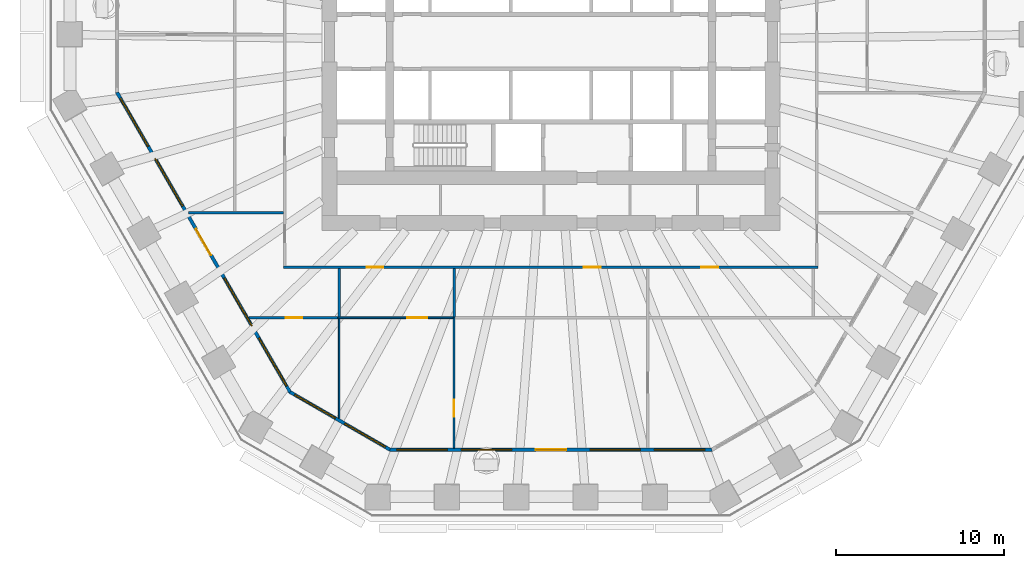
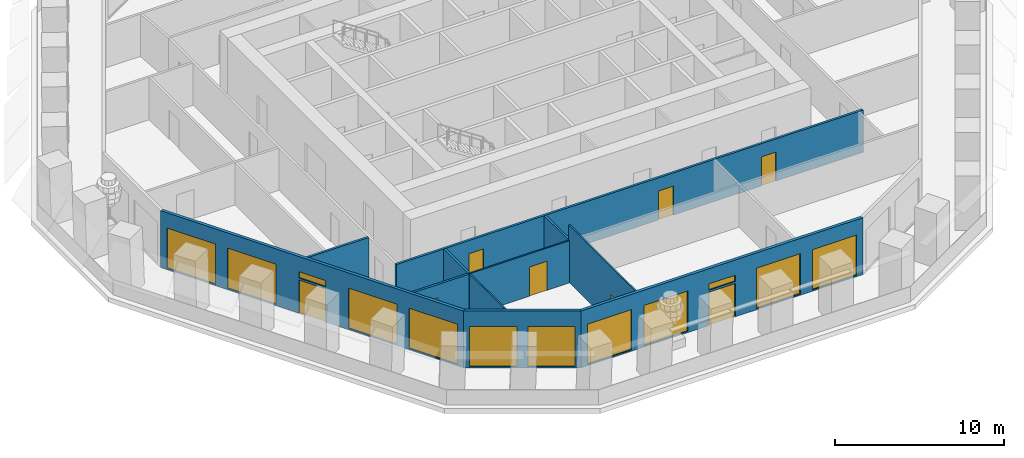
# One storey, part 3 of 13: 12 windows, 11 walls, 8 doors, 20 openings.
"""IFC4 building model written with IfcOpenShell, lengths in metres."""

from ifc_helpers import new_model, si_unit, direction, frame, frame_2d, origin, place, context, subcontext, project, spatial, polyline, rectangle, outline, extrude, material, layer, layer_set, type_object, element, fill, save


model = new_model("IFC4")

# Units and contexts
model_context = context("Model", 3, precision=1e-05, world=origin(), true_north=direction((0.0, 1.0)))
body_context = subcontext(model_context, "Body", "Model", "MODEL_VIEW")
ifc_project = project(units=[si_unit("LENGTHUNIT", "METRE"), si_unit("AREAUNIT", "SQUARE_METRE"), si_unit("VOLUMEUNIT", "CUBIC_METRE"), si_unit("PLANEANGLEUNIT", "RADIAN"), si_unit("MASSUNIT", "GRAM", prefix="KILO")], contexts=[model_context])

# Site, building, storey
site_placement = place(None, origin())
site = spatial("IfcSite", under=ifc_project, at=site_placement, CompositionType="ELEMENT")
building_placement = place(site_placement, origin())
building = spatial("IfcBuilding", under=site, at=building_placement, Name="Frailejon Research Tower", CompositionType="ELEMENT")
storey_placement = place(building_placement, frame((0.0, 0.0, 27.800048828125)))
storey = spatial("IfcBuildingStorey", under=building, at=storey_placement, Name="L06", CompositionType="ELEMENT", Elevation=27.800048828125)

# Wall, openings, doors
ifc_material_1 = material(Name="Gypsum board and masonry partition", Category="masonry")
ifc_layer_1 = layer(ifc_material_1, 0.14990234375)
ifc_layer_set_1 = layer_set([ifc_layer_1], Name="Corridor wall EI 60, gypsum on steel studs 150")
wall_type_1 = type_object("IfcWallType", Name="Corridor wall EI 60, gypsum on steel studs 150", PredefinedType="PARTITIONING", material=ifc_layer_set_1)
wall_1_placement = place(storey_placement, frame((-15.925048828125, -13.449951171875, 0.0), z_axis=(0.0, 0.0, 1.0), x_axis=(1.0, 0.0, 0.0)))
wall_1 = element("IfcWall", 1, at=wall_1_placement, inside=storey, type_object=wall_type_1, Name="T:IW:L06:004", PredefinedType="PARTITIONING", context=body_context, shape_type="SweptSolid", body=[
    extrude(rectangle(XDim=31.85009765625, YDim=0.14990234375, at=frame_2d((15.925048828125, 0.0))), origin(), (0.0, 0.0, 1.0), 3.050048828125),
])
opening_1_placement = place(wall_1_placement, frame((4.94482421875, 0.0, 0.0)))
opening_1 = element("IfcOpeningElement", 2, at=opening_1_placement, cuts=wall_1, Name="Opening D1311", PredefinedType="OPENING", context=body_context, shape_type="SweptSolid", body=[
    extrude(rectangle(XDim=1.0, YDim=2.10009765625, at=frame_2d((0.5, 1.050048828125))), frame((0.0, 0.0849609375, 0.0), z_axis=(0.0, -1.0, 0.0), x_axis=(1.0, 0.0, 0.0)), (0.0, 0.0, 1.0), 0.169921875),
])
opening_2_placement = place(wall_1_placement, frame((17.885009765625, 0.0, 0.0)))
opening_2 = element("IfcOpeningElement", 3, at=opening_2_placement, cuts=wall_1, Name="Opening D1314", PredefinedType="OPENING", context=body_context, shape_type="SweptSolid", body=[
    extrude(rectangle(XDim=1.0, YDim=2.10009765625, at=frame_2d((0.5, 1.050048828125))), frame((0.0, 0.0849609375, 0.0), z_axis=(0.0, -1.0, 0.0), x_axis=(1.0, 0.0, 0.0)), (0.0, 0.0, 1.0), 0.169921875),
])
opening_3_placement = place(wall_1_placement, frame((24.896484375, 0.0, 0.0)))
opening_3 = element("IfcOpeningElement", 4, at=opening_3_placement, cuts=wall_1, Name="Opening D1316", PredefinedType="OPENING", context=body_context, shape_type="SweptSolid", body=[
    extrude(rectangle(XDim=1.0, YDim=2.10009765625, at=frame_2d((0.5, 1.050048828125))), frame((0.0, 0.0849609375, 0.0), z_axis=(0.0, -1.0, 0.0), x_axis=(1.0, 0.0, 0.0)), (0.0, 0.0, 1.0), 0.169921875),
])
ifc_material_2 = material(Name="Timber door leaf", Category="wood")
door_type_1 = type_object("IfcDoorType", Name="Door laboratory, timber, vision panel 1000", OperationType="NOTDEFINED", PredefinedType="DOOR", material=ifc_material_2)
door_1_placement = place(opening_2_placement, origin())
door_1 = element("IfcDoor", 5, at=door_1_placement, inside=storey, type_object=door_type_1, Name="D1314", OperationType="SINGLE_SWING_RIGHT", OverallHeight=2.10009765625, OverallWidth=1.0, PredefinedType="DOOR", context=body_context, shape_type="SweptSolid", body=[
    extrude(rectangle(XDim=1.0, YDim=2.10009765625, at=frame_2d((0.5, 1.050048828125))), frame((0.0, 0.02490234375, 0.0), z_axis=(0.0, -1.0, 0.0), x_axis=(1.0, 0.0, 0.0)), (0.0, 0.0, 1.0), 0.050048828125),
])
fill(opening_2, door_1)
door_2_placement = place(opening_3_placement, origin())
door_2 = element("IfcDoor", 6, at=door_2_placement, inside=storey, type_object=door_type_1, Name="D1316", OperationType="SINGLE_SWING_LEFT", OverallHeight=2.10009765625, OverallWidth=1.0, PredefinedType="DOOR", context=body_context, shape_type="SweptSolid", body=[
    extrude(rectangle(XDim=1.0, YDim=2.10009765625, at=frame_2d((0.5, 1.050048828125))), frame((0.0, 0.02490234375, 0.0), z_axis=(0.0, -1.0, 0.0), x_axis=(1.0, 0.0, 0.0)), (0.0, 0.0, 1.0), 0.050048828125),
])
fill(opening_3, door_2)
ifc_material_3 = material(Name="Timber door leaf", Category="wood")
door_type_2 = type_object("IfcDoorType", Name="Door single leaf, timber, steel frame 1000", OperationType="NOTDEFINED", PredefinedType="DOOR", material=ifc_material_3)
door_3_placement = place(opening_1_placement, origin())
door_3 = element("IfcDoor", 7, at=door_3_placement, inside=storey, type_object=door_type_2, Name="D1311", OperationType="SINGLE_SWING_RIGHT", OverallHeight=2.10009765625, OverallWidth=1.0, PredefinedType="DOOR", context=body_context, shape_type="SweptSolid", body=[
    extrude(rectangle(XDim=1.0, YDim=2.10009765625, at=frame_2d((0.5, 1.050048828125))), frame((0.0, 0.02490234375, 0.0), z_axis=(0.0, -1.0, 0.0), x_axis=(1.0, 0.0, 0.0)), (0.0, 0.0, 1.0), 0.050048828125),
])
fill(opening_1, door_3)

# Wall
ifc_material_4 = material(Name="Gypsum board and masonry partition", Category="masonry")
ifc_layer_2 = layer(ifc_material_4, 0.14990234375)
ifc_layer_set_2 = layer_set([ifc_layer_2], Name="Laboratory partition, blockwork 150")
wall_type_2 = type_object("IfcWallType", Name="Laboratory partition, blockwork 150", PredefinedType="PARTITIONING", material=ifc_layer_set_2)
wall_2_placement = place(storey_placement, frame((-21.587158203125, -10.2099609375, 0.0), z_axis=(0.0, 0.0, 1.0), x_axis=(1.0, 0.0, 0.0)))
element("IfcWall", 8, at=wall_2_placement, inside=storey, type_object=wall_type_2, Name="T:IW:L06:017", PredefinedType="PARTITIONING", context=body_context, shape_type="SweptSolid", body=[
    extrude(rectangle(XDim=5.662109375, YDim=0.14990234375, at=frame_2d((2.8310546875, 0.0))), origin(), (0.0, 0.0, 1.0), 3.050048828125),
])

# Wall, opening, door
wall_3_placement = place(storey_placement, frame((-17.984619140625, -16.449951171875, 0.0), z_axis=(0.0, 0.0, 1.0), x_axis=(1.0, 0.0, 0.0)))
wall_3 = element("IfcWall", 9, at=wall_3_placement, inside=storey, type_object=wall_type_2, Name="T:IW:L06:019", PredefinedType="PARTITIONING", context=body_context, shape_type="SweptSolid", body=[
    extrude(rectangle(XDim=5.292724609375, YDim=0.14990234375, at=frame_2d((2.646484375, 0.0))), origin(), (0.0, 0.0, 1.0), 3.050048828125),
])
opening_4_placement = place(wall_3_placement, frame((2.183837890625, 0.0, 0.0)))
opening_4 = element("IfcOpeningElement", 10, at=opening_4_placement, cuts=wall_3, Name="Opening D1310", PredefinedType="OPENING", context=body_context, shape_type="SweptSolid", body=[
    extrude(rectangle(XDim=1.0, YDim=2.10009765625, at=frame_2d((0.5, 1.050048828125))), frame((0.0, 0.0849609375, 0.0), z_axis=(0.0, -1.0, 0.0), x_axis=(1.0, 0.0, 0.0)), (0.0, 0.0, 1.0), 0.169921875),
])
door_4_placement = place(opening_4_placement, origin())
door_4 = element("IfcDoor", 11, at=door_4_placement, inside=storey, type_object=door_type_2, Name="D1310", OperationType="SINGLE_SWING_LEFT", OverallHeight=2.10009765625, OverallWidth=1.0, PredefinedType="DOOR", context=body_context, shape_type="SweptSolid", body=[
    extrude(rectangle(XDim=1.0, YDim=2.10009765625, at=frame_2d((0.5, 1.050048828125))), frame((0.0, 0.02490234375, 0.0), z_axis=(0.0, -1.0, 0.0), x_axis=(1.0, 0.0, 0.0)), (0.0, 0.0, 1.0), 0.050048828125),
])
fill(opening_4, door_4)

# Walls
for number, where, z_axis, x_axis, name in (
    (12, (-12.616943359375, -16.39990234375, 0.0), (0.0, 0.0, 1.0), (0.0, 1.0, 0.0), "T:IW:L06:021"),
    (13, (-5.77001953125, -16.39990234375, 0.0), (0.0, 0.0, 1.0), (0.0, 1.0, 0.0), "T:IW:L06:022"),
):
    element("IfcWall", number, at=place(storey_placement, frame(where, z_axis=z_axis, x_axis=x_axis)), inside=storey, type_object=wall_type_2, Name=name, PredefinedType="PARTITIONING", context=body_context, shape_type="SweptSolid", body=[
        extrude(rectangle(XDim=2.875, YDim=0.14990234375, at=frame_2d((1.4375, 0.0))), origin(), (0.0, 0.0, 1.0), 3.050048828125),
    ])
ifc_material_5 = material(Name="Gypsum board and masonry partition", Category="masonry")
ifc_layer_3 = layer(ifc_material_5, 0.10009765625)
ifc_layer_set_3 = layer_set([ifc_layer_3], Name="Partition, gypsum on steel studs 100")
wall_type_3 = type_object("IfcWallType", Name="Partition, gypsum on steel studs 100", PredefinedType="PARTITIONING", material=ifc_layer_set_3)
wall_4_placement = place(storey_placement, frame((-12.616943359375, -22.451904296875, 0.0), z_axis=(0.0, 0.0, 1.0), x_axis=(0.0, 1.0, 0.0)))
element("IfcWall", 14, at=wall_4_placement, inside=storey, type_object=wall_type_3, Name="T:IW:L06:028", PredefinedType="PARTITIONING", context=body_context, shape_type="SweptSolid", body=[
    extrude(rectangle(XDim=5.951904296875, YDim=0.10009765625, at=frame_2d((2.97607421875, 0.0))), origin(), (0.0, 0.0, 1.0), 3.050048828125),
])

# Wall, opening, door
wall_5_placement = place(storey_placement, frame((-12.69189453125, -16.449951171875, 0.0), z_axis=(0.0, 0.0, 1.0), x_axis=(1.0, 0.0, 0.0)))
wall_5 = element("IfcWall", 15, at=wall_5_placement, inside=storey, type_object=wall_type_3, Name="T:IW:L06:029", PredefinedType="PARTITIONING", context=body_context, shape_type="SweptSolid", body=[
    extrude(rectangle(XDim=6.871826171875, YDim=0.10009765625, at=frame_2d((3.43603515625, 0.0))), origin(), (0.0, 0.0, 1.0), 3.050048828125),
])
opening_5_placement = place(wall_5_placement, frame((4.135009765625, 0.0, 0.0)))
opening_5 = element("IfcOpeningElement", 16, at=opening_5_placement, cuts=wall_5, Name="Opening D1312", PredefinedType="OPENING", context=body_context, shape_type="SweptSolid", body=[
    extrude(rectangle(XDim=1.199951171875, YDim=2.10009765625, at=frame_2d((0.60009765625, 1.050048828125))), frame((0.0, 0.06005859375, 0.0), z_axis=(0.0, -1.0, 0.0), x_axis=(1.0, 0.0, 0.0)), (0.0, 0.0, 1.0), 0.1201171875),
])
ifc_material_6 = material(Name="Timber door leaf", Category="wood")
door_type_3 = type_object("IfcDoorType", Name="Door single leaf, timber, steel frame 1200", OperationType="NOTDEFINED", PredefinedType="DOOR", material=ifc_material_6)
door_5_placement = place(opening_5_placement, origin())
door_5 = element("IfcDoor", 17, at=door_5_placement, inside=storey, type_object=door_type_3, Name="D1312", OperationType="DOUBLE_DOOR_SINGLE_SWING", OverallHeight=2.10009765625, OverallWidth=1.199951171875, PredefinedType="DOOR", context=body_context, shape_type="SweptSolid", body=[
    extrude(rectangle(XDim=1.199951171875, YDim=2.10009765625, at=frame_2d((0.60009765625, 1.050048828125))), frame((0.0, 0.02490234375, 0.0), z_axis=(0.0, -1.0, 0.0), x_axis=(1.0, 0.0, 0.0)), (0.0, 0.0, 1.0), 0.050048828125),
])
fill(opening_5, door_5)

wall_6_placement = place(storey_placement, frame((-5.77001953125, -24.21484375, 0.0), z_axis=(0.0, 0.0, 1.0), x_axis=(0.0, 1.0, 0.0)))
wall_6 = element("IfcWall", 18, at=wall_6_placement, inside=storey, type_object=wall_type_3, Name="T:IW:L06:030", PredefinedType="PARTITIONING", context=body_context, shape_type="SweptSolid", body=[
    extrude(rectangle(XDim=7.83984375, YDim=0.10009765625, at=frame_2d((3.919921875, 0.0))), origin(), (0.0, 0.0, 1.0), 4.099853515625),
])
opening_6_placement = place(wall_6_placement, frame((1.8662109375, 0.0, 0.0)))
opening_6 = element("IfcOpeningElement", 19, at=opening_6_placement, cuts=wall_6, Name="Opening D1313", PredefinedType="OPENING", context=body_context, shape_type="SweptSolid", body=[
    extrude(rectangle(XDim=1.0, YDim=2.10009765625, at=frame_2d((0.5, 1.050048828125))), frame((0.0, 0.06005859375, 0.0), z_axis=(0.0, -1.0, 0.0), x_axis=(1.0, 0.0, 0.0)), (0.0, 0.0, 1.0), 0.1201171875),
])
door_6_placement = place(opening_6_placement, origin())
door_6 = element("IfcDoor", 20, at=door_6_placement, inside=storey, type_object=door_type_2, Name="D1313", OperationType="SINGLE_SWING_RIGHT", OverallHeight=2.10009765625, OverallWidth=1.0, PredefinedType="DOOR", context=body_context, shape_type="SweptSolid", body=[
    extrude(rectangle(XDim=1.0, YDim=2.10009765625, at=frame_2d((0.5, 1.050048828125))), frame((0.0, 0.02490234375, 0.0), z_axis=(0.0, -1.0, 0.0), x_axis=(1.0, 0.0, 0.0)), (0.0, 0.0, 1.0), 0.050048828125),
])
fill(opening_6, door_6)

# Wall, openings, door, windows
ifc_material_7 = material(Name="Concrete C40/50 precast window wall panel", Category="concrete")
ifc_layer_4 = layer(ifc_material_7, 0.199951171875)
ifc_layer_set_4 = layer_set([ifc_layer_4], Name="Window wall 200")
wall_type_4 = type_object("IfcWallType", Name="Window wall 200", PredefinedType="SOLIDWALL", material=ifc_layer_set_4)
wall_7_placement = place(storey_placement, frame((-25.852294921875, -3.0224609375, 0.0), z_axis=(0.0, 0.0, 1.0), x_axis=(0.500000580948, -0.866025068374, 0.0)))
wall_7 = element("IfcWall", 21, at=wall_7_placement, inside=storey, type_object=wall_type_4, Name="Exterior wall L06", PredefinedType="SOLIDWALL", context=body_context, shape_type="SweptSolid", body=[
    extrude(outline(polyline([(-0.02685546875, -0.10009765625), (1.006591796875, -0.10009765625), (2.040283203125, -0.10009765625), (3.07373046875, -0.10009765625), (4.107421875, -0.10009765625), (5.140869140625, -0.10009765625), (6.17431640625, -0.10009765625), (7.2080078125, -0.10009765625), (8.241455078125, -0.10009765625), (9.275146484375, -0.10009765625), (10.30859375, -0.10009765625), (11.342041015625, -0.10009765625), (12.375732421875, -0.10009765625), (13.4091796875, -0.10009765625), (14.44287109375, -0.10009765625), (15.476318359375, -0.10009765625), (16.509765625, -0.10009765625), (17.54345703125, -0.10009765625), (18.576904296875, -0.10009765625), (19.610595703125, -0.10009765625), (20.64404296875, -0.10009765625), (20.59033203125, 0.10009765625), (19.562255859375, 0.10009765625), (18.533935546875, 0.10009765625), (17.505859375, 0.10009765625), (16.4775390625, 0.10009765625), (15.449462890625, 0.10009765625), (14.42138671875, 0.10009765625), (13.39306640625, 0.10009765625), (12.364990234375, 0.10009765625), (11.336669921875, 0.10009765625), (10.30859375, 0.10009765625), (9.280517578125, 0.10009765625), (8.252197265625, 0.10009765625), (7.22412109375, 0.10009765625), (6.19580078125, 0.10009765625), (5.167724609375, 0.10009765625), (4.1396484375, 0.10009765625), (3.111328125, 0.10009765625), (2.083251953125, 0.10009765625), (1.054931640625, 0.10009765625), (0.02685546875, 0.10009765625), (-0.02685546875, -0.10009765625)])), origin(), (0.0, 0.0, 1.0), 4.099853515625),
])
opening_7_placement = place(wall_7_placement, frame((0.41162109375, 0.0, 0.10009765625)))
opening_7 = element("IfcOpeningElement", 22, at=opening_7_placement, cuts=wall_7, Name="Opening W5", PredefinedType="OPENING", context=body_context, shape_type="SweptSolid", body=[
    extrude(rectangle(XDim=3.300048828125, YDim=2.89990234375, at=frame_2d((1.64990234375, 1.449951171875))), frame((0.0, 0.10986328125, 0.0), z_axis=(0.0, -1.0, 0.0), x_axis=(1.0, 0.0, 0.0)), (0.0, 0.0, 1.0), 0.219970703125),
])
opening_8_placement = place(wall_7_placement, frame((4.53515625, 0.0, 0.10009765625)))
opening_8 = element("IfcOpeningElement", 23, at=opening_8_placement, cuts=wall_7, Name="Opening W5", PredefinedType="OPENING", context=body_context, shape_type="SweptSolid", body=[
    extrude(rectangle(XDim=3.300048828125, YDim=2.89990234375, at=frame_2d((1.64990234375, 1.449951171875))), frame((0.0, 0.10986328125, 0.0), z_axis=(0.0, -1.0, 0.0), x_axis=(1.0, 0.0, 0.0)), (0.0, 0.0, 1.0), 0.219970703125),
])
opening_9_placement = place(wall_7_placement, frame((9.40869140625, 0.0, 0.0)))
opening_9 = element("IfcOpeningElement", 24, at=opening_9_placement, cuts=wall_7, Name="Opening LG06-4", PredefinedType="OPENING", context=body_context, shape_type="SweptSolid", body=[
    extrude(rectangle(XDim=1.800048828125, YDim=2.39990234375, at=frame_2d((0.89990234375, 1.199951171875))), frame((0.0, 0.10986328125, 0.0), z_axis=(0.0, -1.0, 0.0), x_axis=(1.0, 0.0, 0.0)), (0.0, 0.0, 1.0), 0.219970703125),
])
opening_10_placement = place(wall_7_placement, frame((9.40869140625, 0.0, 2.550048828125)))
opening_10 = element("IfcOpeningElement", 25, at=opening_10_placement, cuts=wall_7, Name="Opening W1", PredefinedType="OPENING", context=body_context, shape_type="SweptSolid", body=[
    extrude(rectangle(XDim=1.800048828125, YDim=0.449951171875, at=frame_2d((0.89990234375, 0.22509765625))), frame((0.0, 0.10986328125, 0.0), z_axis=(0.0, -1.0, 0.0), x_axis=(1.0, 0.0, 0.0)), (0.0, 0.0, 1.0), 0.219970703125),
])
opening_11_placement = place(wall_7_placement, frame((12.781982421875, 0.0, 0.10009765625)))
opening_11 = element("IfcOpeningElement", 26, at=opening_11_placement, cuts=wall_7, Name="Opening W5", PredefinedType="OPENING", context=body_context, shape_type="SweptSolid", body=[
    extrude(rectangle(XDim=3.300048828125, YDim=2.89990234375, at=frame_2d((1.64990234375, 1.449951171875))), frame((0.0, 0.10986328125, 0.0), z_axis=(0.0, -1.0, 0.0), x_axis=(1.0, 0.0, 0.0)), (0.0, 0.0, 1.0), 0.219970703125),
])
opening_12_placement = place(wall_7_placement, frame((16.905517578125, 0.0, 0.10009765625)))
opening_12 = element("IfcOpeningElement", 27, at=opening_12_placement, cuts=wall_7, Name="Opening W5", PredefinedType="OPENING", context=body_context, shape_type="SweptSolid", body=[
    extrude(rectangle(XDim=3.300048828125, YDim=2.89990234375, at=frame_2d((1.64990234375, 1.449951171875))), frame((0.0, 0.10986328125, 0.0), z_axis=(0.0, -1.0, 0.0), x_axis=(1.0, 0.0, 0.0)), (0.0, 0.0, 1.0), 0.219970703125),
])
ifc_material_8 = material(Name="Aluminium framed glazed door leaf", Category="aluminium")
door_type_4 = type_object("IfcDoorType", Name="Loggia door 1800x2400", OperationType="DOUBLE_DOOR_SINGLE_SWING", PredefinedType="DOOR", material=ifc_material_8)
door_7_placement = place(opening_9_placement, origin())
door_7 = element("IfcDoor", 28, at=door_7_placement, inside=storey, type_object=door_type_4, Name="Door LG06-4", OperationType="DOUBLE_DOOR_SINGLE_SWING", OverallHeight=2.39990234375, OverallWidth=1.800048828125, PredefinedType="DOOR", context=body_context, shape_type="SweptSolid", body=[
    extrude(rectangle(XDim=1.800048828125, YDim=2.39990234375, at=frame_2d((0.89990234375, 1.199951171875))), frame((0.0, 0.02490234375, 0.0), z_axis=(0.0, -1.0, 0.0), x_axis=(1.0, 0.0, 0.0)), (0.0, 0.0, 1.0), 0.050048828125),
])
fill(opening_9, door_7)
ifc_material_9 = material(Name="Aluminium framed double glazing", Category="aluminium")
window_type_1 = type_object("IfcWindowType", Name="Window 1800x450", PartitioningType="SINGLE_PANEL", PredefinedType="WINDOW", material=ifc_material_9)
window_1_placement = place(opening_10_placement, origin())
window_1 = element("IfcWindow", 29, at=window_1_placement, inside=storey, type_object=window_type_1, Name="Window L06", OverallHeight=0.449951171875, OverallWidth=1.800048828125, PartitioningType="SINGLE_PANEL", PredefinedType="WINDOW", context=body_context, shape_type="SweptSolid", body=[
    extrude(rectangle(XDim=1.800048828125, YDim=0.449951171875, at=frame_2d((0.89990234375, 0.22509765625))), frame((0.0, 0.030029296875, 0.0), z_axis=(0.0, -1.0, 0.0), x_axis=(1.0, 0.0, 0.0)), (0.0, 0.0, 1.0), 0.06005859375),
])
fill(opening_10, window_1)
ifc_material_10 = material(Name="Aluminium framed double glazing", Category="aluminium")
window_type_2 = type_object("IfcWindowType", Name="Window 3300x2900", PartitioningType="SINGLE_PANEL", PredefinedType="WINDOW", material=ifc_material_10)
window_2_placement = place(opening_7_placement, origin())
window_2 = element("IfcWindow", 30, at=window_2_placement, inside=storey, type_object=window_type_2, Name="Window L06", OverallHeight=2.89990234375, OverallWidth=3.300048828125, PartitioningType="SINGLE_PANEL", PredefinedType="WINDOW", context=body_context, shape_type="SweptSolid", body=[
    extrude(rectangle(XDim=3.300048828125, YDim=2.89990234375, at=frame_2d((1.64990234375, 1.449951171875))), frame((0.0, 0.030029296875, 0.0), z_axis=(0.0, -1.0, 0.0), x_axis=(1.0, 0.0, 0.0)), (0.0, 0.0, 1.0), 0.06005859375),
])
fill(opening_7, window_2)
window_3_placement = place(opening_8_placement, origin())
window_3 = element("IfcWindow", 31, at=window_3_placement, inside=storey, type_object=window_type_2, Name="Window L06", OverallHeight=2.89990234375, OverallWidth=3.300048828125, PartitioningType="SINGLE_PANEL", PredefinedType="WINDOW", context=body_context, shape_type="SweptSolid", body=[
    extrude(rectangle(XDim=3.300048828125, YDim=2.89990234375, at=frame_2d((1.64990234375, 1.449951171875))), frame((0.0, 0.030029296875, 0.0), z_axis=(0.0, -1.0, 0.0), x_axis=(1.0, 0.0, 0.0)), (0.0, 0.0, 1.0), 0.06005859375),
])
fill(opening_8, window_3)
window_4_placement = place(opening_11_placement, origin())
window_4 = element("IfcWindow", 32, at=window_4_placement, inside=storey, type_object=window_type_2, Name="Window L06", OverallHeight=2.89990234375, OverallWidth=3.300048828125, PartitioningType="SINGLE_PANEL", PredefinedType="WINDOW", context=body_context, shape_type="SweptSolid", body=[
    extrude(rectangle(XDim=3.300048828125, YDim=2.89990234375, at=frame_2d((1.64990234375, 1.449951171875))), frame((0.0, 0.030029296875, 0.0), z_axis=(0.0, -1.0, 0.0), x_axis=(1.0, 0.0, 0.0)), (0.0, 0.0, 1.0), 0.06005859375),
])
fill(opening_11, window_4)
window_5_placement = place(opening_12_placement, origin())
window_5 = element("IfcWindow", 33, at=window_5_placement, inside=storey, type_object=window_type_2, Name="Window L06", OverallHeight=2.89990234375, OverallWidth=3.300048828125, PartitioningType="SINGLE_PANEL", PredefinedType="WINDOW", context=body_context, shape_type="SweptSolid", body=[
    extrude(rectangle(XDim=3.300048828125, YDim=2.89990234375, at=frame_2d((1.64990234375, 1.449951171875))), frame((0.0, 0.030029296875, 0.0), z_axis=(0.0, -1.0, 0.0), x_axis=(1.0, 0.0, 0.0)), (0.0, 0.0, 1.0), 0.06005859375),
])
fill(opening_12, window_5)

# Wall, openings, windows
wall_8_placement = place(storey_placement, frame((-15.543701171875, -20.87744140625, 0.0), z_axis=(0.0, 0.0, 1.0), x_axis=(0.866029458321, -0.49999297727, 0.0)))
wall_8 = element("IfcWall", 34, at=wall_8_placement, inside=storey, type_object=wall_type_4, Name="Exterior wall L06", PredefinedType="SOLIDWALL", context=body_context, shape_type="SweptSolid", body=[
    extrude(outline(polyline([(-0.02685546875, -0.10009765625), (1.1279296875, -0.10009765625), (2.282470703125, -0.10009765625), (3.437255859375, -0.10009765625), (4.592041015625, -0.10009765625), (5.74658203125, -0.10009765625), (6.9013671875, -0.10009765625), (6.84765625, 0.10009765625), (5.7109375, 0.10009765625), (4.573974609375, 0.10009765625), (3.437255859375, 0.10009765625), (2.300537109375, 0.10009765625), (1.16357421875, 0.10009765625), (0.02685546875, 0.10009765625), (-0.02685546875, -0.10009765625)])), origin(), (0.0, 0.0, 1.0), 4.099853515625),
])
opening_13_placement = place(wall_8_placement, frame((0.318603515625, 0.0, 0.10009765625)))
opening_13 = element("IfcOpeningElement", 35, at=opening_13_placement, cuts=wall_8, Name="Opening W3", PredefinedType="OPENING", context=body_context, shape_type="SweptSolid", body=[
    extrude(rectangle(XDim=2.800048828125, YDim=2.89990234375, at=frame_2d((1.39990234375, 1.449951171875))), frame((0.0, 0.10986328125, 0.0), z_axis=(0.0, -1.0, 0.0), x_axis=(1.0, 0.0, 0.0)), (0.0, 0.0, 1.0), 0.219970703125),
])
opening_14_placement = place(wall_8_placement, frame((3.756103515625, 0.0, 0.10009765625)))
opening_14 = element("IfcOpeningElement", 36, at=opening_14_placement, cuts=wall_8, Name="Opening W3", PredefinedType="OPENING", context=body_context, shape_type="SweptSolid", body=[
    extrude(rectangle(XDim=2.800048828125, YDim=2.89990234375, at=frame_2d((1.39990234375, 1.449951171875))), frame((0.0, 0.10986328125, 0.0), z_axis=(0.0, -1.0, 0.0), x_axis=(1.0, 0.0, 0.0)), (0.0, 0.0, 1.0), 0.219970703125),
])
ifc_material_11 = material(Name="Aluminium framed double glazing", Category="aluminium")
window_type_3 = type_object("IfcWindowType", Name="Window 2800x2900", PartitioningType="SINGLE_PANEL", PredefinedType="WINDOW", material=ifc_material_11)
window_6_placement = place(opening_13_placement, origin())
window_6 = element("IfcWindow", 37, at=window_6_placement, inside=storey, type_object=window_type_3, Name="Window L06", OverallHeight=2.89990234375, OverallWidth=2.800048828125, PartitioningType="SINGLE_PANEL", PredefinedType="WINDOW", context=body_context, shape_type="SweptSolid", body=[
    extrude(rectangle(XDim=2.800048828125, YDim=2.89990234375, at=frame_2d((1.39990234375, 1.449951171875))), frame((0.0, 0.030029296875, 0.0), z_axis=(0.0, -1.0, 0.0), x_axis=(1.0, 0.0, 0.0)), (0.0, 0.0, 1.0), 0.06005859375),
])
fill(opening_13, window_6)
window_7_placement = place(opening_14_placement, origin())
window_7 = element("IfcWindow", 38, at=window_7_placement, inside=storey, type_object=window_type_3, Name="Window L06", OverallHeight=2.89990234375, OverallWidth=2.800048828125, PartitioningType="SINGLE_PANEL", PredefinedType="WINDOW", context=body_context, shape_type="SweptSolid", body=[
    extrude(rectangle(XDim=2.800048828125, YDim=2.89990234375, at=frame_2d((1.39990234375, 1.449951171875))), frame((0.0, 0.030029296875, 0.0), z_axis=(0.0, -1.0, 0.0), x_axis=(1.0, 0.0, 0.0)), (0.0, 0.0, 1.0), 0.06005859375),
])
fill(opening_14, window_7)

# Wall, openings, door, windows
wall_9_placement = place(storey_placement, frame((-9.590087890625, -24.314697265625, 0.0), z_axis=(0.0, 0.0, 1.0), x_axis=(1.0, 0.0, 0.0)))
wall_9 = element("IfcWall", 39, at=wall_9_placement, inside=storey, type_object=wall_type_4, Name="Exterior wall L06", PredefinedType="SOLIDWALL", context=body_context, shape_type="SweptSolid", body=[
    extrude(outline(polyline([(-0.02685546875, -0.10009765625), (0.9853515625, -0.10009765625), (1.997802734375, -0.10009765625), (3.010009765625, -0.10009765625), (4.0224609375, -0.10009765625), (5.03466796875, -0.10009765625), (6.047119140625, -0.10009765625), (7.059326171875, -0.10009765625), (8.071533203125, -0.10009765625), (9.083984375, -0.10009765625), (10.09619140625, -0.10009765625), (11.108642578125, -0.10009765625), (12.120849609375, -0.10009765625), (13.133056640625, -0.10009765625), (14.1455078125, -0.10009765625), (15.15771484375, -0.10009765625), (16.170166015625, -0.10009765625), (17.182373046875, -0.10009765625), (18.19482421875, -0.10009765625), (19.20703125, -0.10009765625), (19.1533203125, 0.10009765625), (18.146728515625, 0.10009765625), (17.139892578125, 0.10009765625), (16.13330078125, 0.10009765625), (15.126708984375, 0.10009765625), (14.1201171875, 0.10009765625), (13.11328125, 0.10009765625), (12.106689453125, 0.10009765625), (11.10009765625, 0.10009765625), (10.093505859375, 0.10009765625), (9.086669921875, 0.10009765625), (8.080078125, 0.10009765625), (7.073486328125, 0.10009765625), (6.06689453125, 0.10009765625), (5.06005859375, 0.10009765625), (4.053466796875, 0.10009765625), (3.046875, 0.10009765625), (2.040283203125, 0.10009765625), (1.033447265625, 0.10009765625), (0.02685546875, 0.10009765625), (-0.02685546875, -0.10009765625)])), origin(), (0.0, 0.0, 1.0), 4.099853515625),
])
opening_15_placement = place(wall_9_placement, frame((0.41796875, 0.0, 0.10009765625)))
opening_15 = element("IfcOpeningElement", 40, at=opening_15_placement, cuts=wall_9, Name="Opening W4", PredefinedType="OPENING", context=body_context, shape_type="SweptSolid", body=[
    extrude(rectangle(XDim=3.0, YDim=2.89990234375, at=frame_2d((1.5, 1.449951171875))), frame((0.0, 0.10986328125, 0.0), z_axis=(0.0, -1.0, 0.0), x_axis=(1.0, 0.0, 0.0)), (0.0, 0.0, 1.0), 0.219970703125),
])
opening_16_placement = place(wall_9_placement, frame((4.254150390625, 0.0, 0.10009765625)))
opening_16 = element("IfcOpeningElement", 41, at=opening_16_placement, cuts=wall_9, Name="Opening W4", PredefinedType="OPENING", context=body_context, shape_type="SweptSolid", body=[
    extrude(rectangle(XDim=3.0, YDim=2.89990234375, at=frame_2d((1.5, 1.449951171875))), frame((0.0, 0.10986328125, 0.0), z_axis=(0.0, -1.0, 0.0), x_axis=(1.0, 0.0, 0.0)), (0.0, 0.0, 1.0), 0.219970703125),
])
opening_17_placement = place(wall_9_placement, frame((8.690185546875, 0.0, 0.0)))
opening_17 = element("IfcOpeningElement", 42, at=opening_17_placement, cuts=wall_9, Name="Opening LG06-5", PredefinedType="OPENING", context=body_context, shape_type="SweptSolid", body=[
    extrude(rectangle(XDim=1.800048828125, YDim=2.39990234375, at=frame_2d((0.89990234375, 1.199951171875))), frame((0.0, 0.10986328125, 0.0), z_axis=(0.0, -1.0, 0.0), x_axis=(1.0, 0.0, 0.0)), (0.0, 0.0, 1.0), 0.219970703125),
])
opening_18_placement = place(wall_9_placement, frame((8.690185546875, 0.0, 2.550048828125)))
opening_18 = element("IfcOpeningElement", 43, at=opening_18_placement, cuts=wall_9, Name="Opening W1", PredefinedType="OPENING", context=body_context, shape_type="SweptSolid", body=[
    extrude(rectangle(XDim=1.800048828125, YDim=0.449951171875, at=frame_2d((0.89990234375, 0.22509765625))), frame((0.0, 0.10986328125, 0.0), z_axis=(0.0, -1.0, 0.0), x_axis=(1.0, 0.0, 0.0)), (0.0, 0.0, 1.0), 0.219970703125),
])
opening_19_placement = place(wall_9_placement, frame((11.92626953125, 0.0, 0.10009765625)))
opening_19 = element("IfcOpeningElement", 44, at=opening_19_placement, cuts=wall_9, Name="Opening W4", PredefinedType="OPENING", context=body_context, shape_type="SweptSolid", body=[
    extrude(rectangle(XDim=3.0, YDim=2.89990234375, at=frame_2d((1.5, 1.449951171875))), frame((0.0, 0.10986328125, 0.0), z_axis=(0.0, -1.0, 0.0), x_axis=(1.0, 0.0, 0.0)), (0.0, 0.0, 1.0), 0.219970703125),
])
opening_20_placement = place(wall_9_placement, frame((15.76220703125, 0.0, 0.10009765625)))
opening_20 = element("IfcOpeningElement", 45, at=opening_20_placement, cuts=wall_9, Name="Opening W4", PredefinedType="OPENING", context=body_context, shape_type="SweptSolid", body=[
    extrude(rectangle(XDim=3.0, YDim=2.89990234375, at=frame_2d((1.5, 1.449951171875))), frame((0.0, 0.10986328125, 0.0), z_axis=(0.0, -1.0, 0.0), x_axis=(1.0, 0.0, 0.0)), (0.0, 0.0, 1.0), 0.219970703125),
])
door_8_placement = place(opening_17_placement, origin())
door_8 = element("IfcDoor", 46, at=door_8_placement, inside=storey, type_object=door_type_4, Name="Door LG06-5", OperationType="DOUBLE_DOOR_SINGLE_SWING", OverallHeight=2.39990234375, OverallWidth=1.800048828125, PredefinedType="DOOR", context=body_context, shape_type="SweptSolid", body=[
    extrude(rectangle(XDim=1.800048828125, YDim=2.39990234375, at=frame_2d((0.89990234375, 1.199951171875))), frame((0.0, 0.02490234375, 0.0), z_axis=(0.0, -1.0, 0.0), x_axis=(1.0, 0.0, 0.0)), (0.0, 0.0, 1.0), 0.050048828125),
])
fill(opening_17, door_8)
window_8_placement = place(opening_18_placement, origin())
window_8 = element("IfcWindow", 47, at=window_8_placement, inside=storey, type_object=window_type_1, Name="Window L06", OverallHeight=0.449951171875, OverallWidth=1.800048828125, PartitioningType="SINGLE_PANEL", PredefinedType="WINDOW", context=body_context, shape_type="SweptSolid", body=[
    extrude(rectangle(XDim=1.800048828125, YDim=0.449951171875, at=frame_2d((0.89990234375, 0.22509765625))), frame((0.0, 0.030029296875, 0.0), z_axis=(0.0, -1.0, 0.0), x_axis=(1.0, 0.0, 0.0)), (0.0, 0.0, 1.0), 0.06005859375),
])
fill(opening_18, window_8)
ifc_material_12 = material(Name="Aluminium framed double glazing", Category="aluminium")
window_type_4 = type_object("IfcWindowType", Name="Window 3000x2900", PartitioningType="SINGLE_PANEL", PredefinedType="WINDOW", material=ifc_material_12)
window_9_placement = place(opening_15_placement, origin())
window_9 = element("IfcWindow", 48, at=window_9_placement, inside=storey, type_object=window_type_4, Name="Window L06", OverallHeight=2.89990234375, OverallWidth=3.0, PartitioningType="SINGLE_PANEL", PredefinedType="WINDOW", context=body_context, shape_type="SweptSolid", body=[
    extrude(rectangle(XDim=3.0, YDim=2.89990234375, at=frame_2d((1.5, 1.449951171875))), frame((0.0, 0.030029296875, 0.0), z_axis=(0.0, -1.0, 0.0), x_axis=(1.0, 0.0, 0.0)), (0.0, 0.0, 1.0), 0.06005859375),
])
fill(opening_15, window_9)
window_10_placement = place(opening_16_placement, origin())
window_10 = element("IfcWindow", 49, at=window_10_placement, inside=storey, type_object=window_type_4, Name="Window L06", OverallHeight=2.89990234375, OverallWidth=3.0, PartitioningType="SINGLE_PANEL", PredefinedType="WINDOW", context=body_context, shape_type="SweptSolid", body=[
    extrude(rectangle(XDim=3.0, YDim=2.89990234375, at=frame_2d((1.5, 1.449951171875))), frame((0.0, 0.030029296875, 0.0), z_axis=(0.0, -1.0, 0.0), x_axis=(1.0, 0.0, 0.0)), (0.0, 0.0, 1.0), 0.06005859375),
])
fill(opening_16, window_10)
window_11_placement = place(opening_19_placement, origin())
window_11 = element("IfcWindow", 50, at=window_11_placement, inside=storey, type_object=window_type_4, Name="Window L06", OverallHeight=2.89990234375, OverallWidth=3.0, PartitioningType="SINGLE_PANEL", PredefinedType="WINDOW", context=body_context, shape_type="SweptSolid", body=[
    extrude(rectangle(XDim=3.0, YDim=2.89990234375, at=frame_2d((1.5, 1.449951171875))), frame((0.0, 0.030029296875, 0.0), z_axis=(0.0, -1.0, 0.0), x_axis=(1.0, 0.0, 0.0)), (0.0, 0.0, 1.0), 0.06005859375),
])
fill(opening_19, window_11)
window_12_placement = place(opening_20_placement, origin())
window_12 = element("IfcWindow", 51, at=window_12_placement, inside=storey, type_object=window_type_4, Name="Window L06", OverallHeight=2.89990234375, OverallWidth=3.0, PartitioningType="SINGLE_PANEL", PredefinedType="WINDOW", context=body_context, shape_type="SweptSolid", body=[
    extrude(rectangle(XDim=3.0, YDim=2.89990234375, at=frame_2d((1.5, 1.449951171875))), frame((0.0, 0.030029296875, 0.0), z_axis=(0.0, -1.0, 0.0), x_axis=(1.0, 0.0, 0.0)), (0.0, 0.0, 1.0), 0.06005859375),
])
fill(opening_20, window_12)

save(model, "model.ifc")
